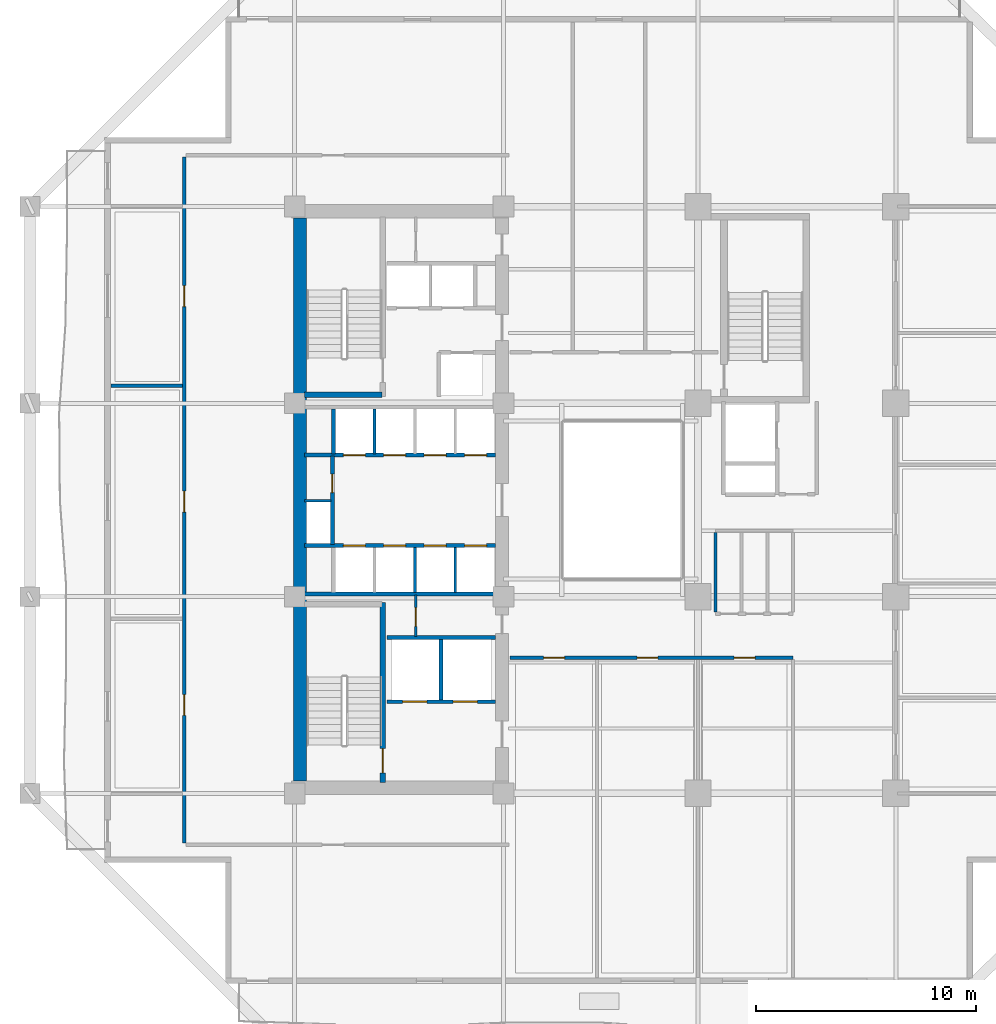
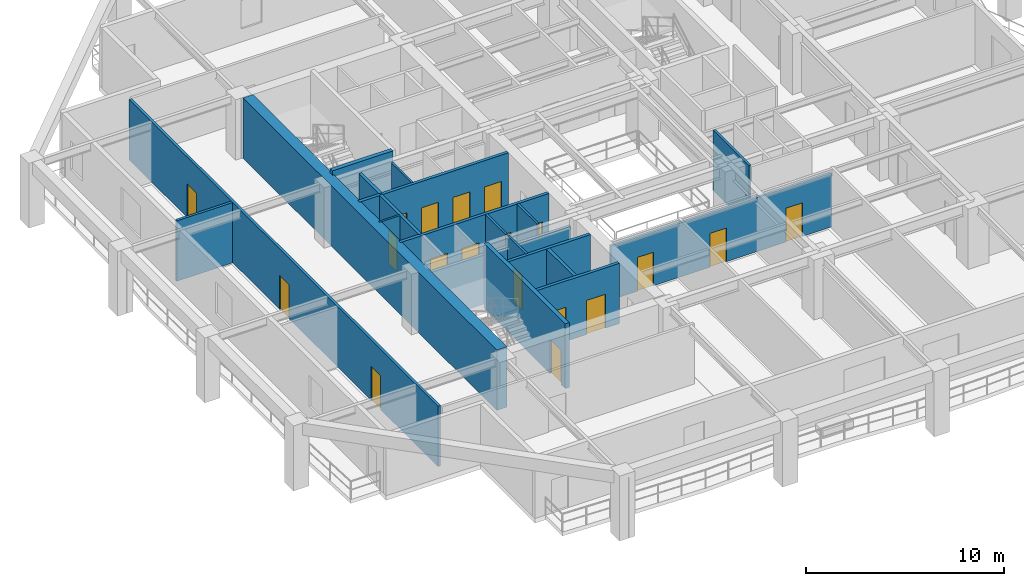
# One storey, part 3 of 13: 20 walls, 19 doors, 19 openings.
"""IFC4 building model written with IfcOpenShell, lengths in metres."""

from ifc_helpers import new_model, si_unit, direction, frame, frame_2d, origin, place, context, subcontext, project, spatial, rectangle, extrude, material, layer, layer_set, type_object, element, fill, save


model = new_model("IFC4")

# Units and contexts
model_context = context("Model", 3, precision=1e-05, world=origin(), true_north=direction((0.0, 1.0)))
body_context = subcontext(model_context, "Body", "Model", "MODEL_VIEW")
ifc_project = project(units=[si_unit("LENGTHUNIT", "METRE"), si_unit("AREAUNIT", "SQUARE_METRE"), si_unit("VOLUMEUNIT", "CUBIC_METRE"), si_unit("PLANEANGLEUNIT", "RADIAN"), si_unit("MASSUNIT", "GRAM", prefix="KILO")], contexts=[model_context])

# Site, building, storey
site_placement = place(None, origin())
site = spatial("IfcSite", under=ifc_project, at=site_placement, CompositionType="ELEMENT")
building_placement = place(site_placement, origin())
building = spatial("IfcBuilding", under=site, at=building_placement, Name="Kundavana Baori Tower", CompositionType="ELEMENT")
storey_placement = place(building_placement, frame((0.0, 0.0, 50.0)))
storey = spatial("IfcBuildingStorey", under=building, at=storey_placement, Name="L11", CompositionType="ELEMENT", Elevation=50.0)

# Wall, opening, door
ifc_material_1 = material(Name="Concrete C50/60", Category="concrete")
ifc_layer_1 = layer(ifc_material_1, 0.39990234375, Name="WL-CORE-400")
ifc_layer_set_1 = layer_set([ifc_layer_1], Name="Concrete C50/60")
wall_type_1 = type_object("IfcWallType", Name="WL-CORE-400", PredefinedType="SHEAR", material=ifc_layer_set_1)
wall_1_placement = place(storey_placement, frame((19.4599609375, 15.739990234375, 0.0), z_axis=(0.0, 0.0, 1.0), x_axis=(0.0, 1.0, 0.0)))
wall_1 = element("IfcWall", 1, at=wall_1_placement, inside=storey, type_object=wall_type_1, Name="WL-L11-ST1-E", PredefinedType="SHEAR", context=body_context, shape_type="SweptSolid", body=[
    extrude(rectangle(XDim=8.199951171875, YDim=0.239990234375, at=frame_2d((4.10009765625, 0.0))), origin(), (0.0, 0.0, 1.0), 4.0),
])
opening_1_placement = place(wall_1_placement, frame((0.449951171875, 0.0, 0.0)))
opening_1 = element("IfcOpeningElement", 2, at=opening_1_placement, cuts=wall_1, Name="Opening FD-110", PredefinedType="OPENING", context=body_context, shape_type="SweptSolid", body=[
    extrude(rectangle(XDim=1.10009765625, YDim=2.10009765625, at=frame_2d((0.550048828125, 1.050048828125))), frame((0.0, 0.1298828125, 0.0), z_axis=(0.0, -1.0, 0.0), x_axis=(1.0, 0.0, 0.0)), (0.0, 0.0, 1.0), 0.260009765625),
])
ifc_material_2 = material(Name="Galvanised Steel Fire-Rated Door Leaf", Category="steel")
door_type_1 = type_object("IfcDoorType", Name="DR-FD120-1100", OperationType="NOTDEFINED", PredefinedType="DOOR", material=ifc_material_2)
door_1_placement = place(opening_1_placement, origin())
door_1 = element("IfcDoor", 3, at=door_1_placement, inside=storey, type_object=door_type_1, Name="DR-L11-ST1", OperationType="SINGLE_SWING_LEFT", OverallHeight=2.10009765625, OverallWidth=1.10009765625, PredefinedType="DOOR", context=body_context, shape_type="SweptSolid", body=[
    extrude(rectangle(XDim=1.10009765625, YDim=2.10009765625, at=frame_2d((0.550048828125, 1.050048828125))), frame((0.0, 0.02490234375, 0.0), z_axis=(0.0, -1.0, 0.0), x_axis=(1.0, 0.0, 0.0)), (0.0, 0.0, 1.0), 0.050048828125),
])
fill(opening_1, door_1)

# Walls
wall_2_placement = place(storey_placement, frame((15.89990234375, 33.389892578125, 0.0), z_axis=(0.0, 0.0, 1.0), x_axis=(1.0, 0.0, 0.0)))
element("IfcWall", 4, at=wall_2_placement, inside=storey, type_object=wall_type_1, Name="WL-L11-ST2-S", PredefinedType="SHEAR", context=body_context, shape_type="SweptSolid", body=[
    extrude(rectangle(XDim=3.52001953125, YDim=0.239990234375, at=frame_2d((1.760009765625, 0.0))), origin(), (0.0, 0.0, 1.0), 4.0),
])
ifc_material_3 = material(Name="Concrete C60/75", Category="concrete")
ifc_layer_2 = layer(ifc_material_3, 0.60009765625, Name="WL-CORE-600")
ifc_layer_set_2 = layer_set([ifc_layer_2], Name="Concrete C60/75")
wall_type_2 = type_object("IfcWallType", Name="WL-CORE-600", PredefinedType="SHEAR", material=ifc_layer_set_2)
wall_3_placement = place(storey_placement, frame((15.68994140625, 15.81005859375, 0.0), z_axis=(0.0, 0.0, 1.0), x_axis=(0.0, 1.0, 0.0)))
element("IfcWall", 5, at=wall_3_placement, inside=storey, type_object=wall_type_2, Name="L11 Offset Core West Shear Wall", PredefinedType="SHEAR", context=body_context, shape_type="SweptSolid", body=[
    extrude(rectangle(XDim=25.6298828125, YDim=0.60009765625, at=frame_2d((12.81494140625, 0.0))), origin(), (0.0, 0.0, 1.0), 3.719970703125),
])

# Wall, opening, door
ifc_material_4 = material(Name="Acoustic Gypsum Plasterboard on Galvanised Steel Studs", Category="steel")
ifc_layer_3 = layer(ifc_material_4, 0.1201171875, Name="WL-PART-120")
ifc_layer_set_3 = layer_set([ifc_layer_3], Name="Acoustic Gypsum Plasterboard on Galvanised Steel Studs")
wall_type_3 = type_object("IfcWallType", Name="WL-PART-120", PredefinedType="PARTITIONING", material=ifc_layer_set_3)
wall_4_placement = place(storey_placement, frame((20.949951171875, 22.39990234375, 0.0), z_axis=(0.0, 0.0, 1.0), x_axis=(0.0, 1.0, 0.0)))
wall_4 = element("IfcWall", 6, at=wall_4_placement, inside=storey, type_object=wall_type_3, Name="WL-L11-CSMK-D2", PredefinedType="PARTITIONING", context=body_context, shape_type="SweptSolid", body=[
    extrude(rectangle(XDim=1.880126953125, YDim=0.1201171875, at=frame_2d((0.93994140625, 0.0))), origin(), (0.0, 0.0, 1.0), 3.719970703125),
])
opening_2_placement = place(wall_4_placement, frame((0.449951171875, 0.0, 0.0)))
opening_2 = element("IfcOpeningElement", 7, at=opening_2_placement, cuts=wall_4, Name="Opening FD-085", PredefinedType="OPENING", context=body_context, shape_type="SweptSolid", body=[
    extrude(rectangle(XDim=0.85009765625, YDim=2.06005859375, at=frame_2d((0.425048828125, 1.030029296875))), frame((0.0, 0.070068359375, 0.0), z_axis=(0.0, -1.0, 0.0), x_axis=(1.0, 0.0, 0.0)), (0.0, 0.0, 1.0), 0.14013671875),
])
ifc_material_5 = material(Name="Galvanised Steel Fire-Rated Door Leaf", Category="steel")
door_type_2 = type_object("IfcDoorType", Name="DR-FD60-850", OperationType="NOTDEFINED", PredefinedType="DOOR", material=ifc_material_5)
door_2_placement = place(opening_2_placement, origin())
door_2 = element("IfcDoor", 8, at=door_2_placement, inside=storey, type_object=door_type_2, Name="DR-L11-CSMK1", OperationType="SINGLE_SWING_RIGHT", OverallHeight=2.06005859375, OverallWidth=0.85009765625, PredefinedType="DOOR", context=body_context, shape_type="SweptSolid", body=[
    extrude(rectangle(XDim=0.85009765625, YDim=2.06005859375, at=frame_2d((0.425048828125, 1.030029296875))), frame((0.0, 0.02490234375, 0.0), z_axis=(0.0, -1.0, 0.0), x_axis=(1.0, 0.0, 0.0)), (0.0, 0.0, 1.0), 0.050048828125),
])
fill(opening_2, door_2)

# Walls
for number, where, z_axis, x_axis, name in (
    (9, (20.919921875, 24.39990234375, 0.0), (0.0, 0.0, 1.0), (0.0, 1.0, 0.0), "WL-L11-LPLOW-D2"),
    (10, (22.760009765625, 24.39990234375, 0.0), (0.0, 0.0, 1.0), (0.0, 1.0, 0.0), "WL-L11-LPLOW-D3"),
):
    element("IfcWall", number, at=place(storey_placement, frame(where, z_axis=z_axis, x_axis=x_axis)), inside=storey, type_object=wall_type_3, Name=name, PredefinedType="PARTITIONING", context=body_context, shape_type="SweptSolid", body=[
        extrude(rectangle(XDim=2.050048828125, YDim=0.1201171875, at=frame_2d((1.02490234375, 0.0))), origin(), (0.0, 0.0, 1.0), 3.719970703125),
    ])
wall_5_placement = place(storey_placement, frame((15.89990234375, 28.56005859375, 0.0), z_axis=(0.0, 0.0, 1.0), x_axis=(1.0, 0.0, 0.0)))
element("IfcWall", 11, at=wall_5_placement, inside=storey, type_object=wall_type_3, Name="WL-L11-RSRW-N", PredefinedType="PARTITIONING", context=body_context, shape_type="SweptSolid", body=[
    extrude(rectangle(XDim=1.2001953125, YDim=0.1201171875, at=frame_2d((0.60009765625, 0.0))), origin(), (0.0, 0.0, 1.0), 3.719970703125),
])
wall_6_placement = place(storey_placement, frame((19.080078125, 30.699951171875, 0.0), z_axis=(0.0, 0.0, 1.0), x_axis=(0.0, 1.0, 0.0)))
element("IfcWall", 12, at=wall_6_placement, inside=storey, type_object=wall_type_3, Name="WL-L11-LPMID-D1", PredefinedType="PARTITIONING", context=body_context, shape_type="SweptSolid", body=[
    extrude(rectangle(XDim=2.050048828125, YDim=0.1201171875, at=frame_2d((1.02490234375, 0.0))), origin(), (0.0, 0.0, 1.0), 3.719970703125),
])

# Wall, openings, doors
ifc_material_6 = material(Name="Fire-Rated Gypsum Drywall on Galvanised Steel Studs", Category="steel")
ifc_layer_4 = layer(ifc_material_6, 0.14990234375, Name="WL-PART-150")
ifc_layer_set_4 = layer_set([ifc_layer_4], Name="Fire-Rated Gypsum Drywall on Galvanised Steel Studs")
wall_type_4 = type_object("IfcWallType", Name="WL-PART-150", PredefinedType="PARTITIONING", material=ifc_layer_set_4)
wall_7_placement = place(storey_placement, frame((25.25, 21.419921875, 0.0), z_axis=(0.0, 0.0, 1.0), x_axis=(1.0, 0.0, 0.0)))
wall_7 = element("IfcWall", 13, at=wall_7_placement, inside=storey, type_object=wall_type_4, Name="WL-L11-OFS", PredefinedType="PARTITIONING", context=body_context, shape_type="SweptSolid", body=[
    extrude(rectangle(XDim=12.8701171875, YDim=0.14990234375, at=frame_2d((6.43505859375, 0.0))), origin(), (0.0, 0.0, 1.0), 3.320068359375),
])
opening_3_placement = place(wall_7_placement, frame((1.52490234375, 0.0, 0.0)))
opening_3 = element("IfcOpeningElement", 14, at=opening_3_placement, cuts=wall_7, Name="Opening ID-095", PredefinedType="OPENING", context=body_context, shape_type="SweptSolid", body=[
    extrude(rectangle(XDim=0.949951171875, YDim=2.080078125, at=frame_2d((0.47509765625, 1.0400390625))), frame((0.0, 0.0849609375, 0.0), z_axis=(0.0, -1.0, 0.0), x_axis=(1.0, 0.0, 0.0)), (0.0, 0.0, 1.0), 0.169921875),
])
opening_4_placement = place(wall_7_placement, frame((5.77490234375, 0.0, 0.0)))
opening_4 = element("IfcOpeningElement", 15, at=opening_4_placement, cuts=wall_7, Name="Opening ID-095", PredefinedType="OPENING", context=body_context, shape_type="SweptSolid", body=[
    extrude(rectangle(XDim=0.949951171875, YDim=2.080078125, at=frame_2d((0.47509765625, 1.0400390625))), frame((0.0, 0.0849609375, 0.0), z_axis=(0.0, -1.0, 0.0), x_axis=(1.0, 0.0, 0.0)), (0.0, 0.0, 1.0), 0.169921875),
])
opening_5_placement = place(wall_7_placement, frame((10.195068359375, 0.0, 0.0)))
opening_5 = element("IfcOpeningElement", 16, at=opening_5_placement, cuts=wall_7, Name="Opening ID-095", PredefinedType="OPENING", context=body_context, shape_type="SweptSolid", body=[
    extrude(rectangle(XDim=0.949951171875, YDim=2.080078125, at=frame_2d((0.47509765625, 1.0400390625))), frame((0.0, 0.0849609375, 0.0), z_axis=(0.0, -1.0, 0.0), x_axis=(1.0, 0.0, 0.0)), (0.0, 0.0, 1.0), 0.169921875),
])
ifc_material_7 = material(Name="Engineered Teak Solid-Core Timber Veneer", Category="wood")
door_type_3 = type_object("IfcDoorType", Name="DR-INT-950", OperationType="NOTDEFINED", PredefinedType="DOOR", material=ifc_material_7)
door_3_placement = place(opening_3_placement, frame((0.949951171875, 0.0, 0.0), z_axis=(0.0, 0.0, 1.0), x_axis=(-1.0, 0.0, 0.0)))
door_3 = element("IfcDoor", 17, at=door_3_placement, inside=storey, type_object=door_type_3, Name="DR-L11-OFS1", OperationType="SINGLE_SWING_LEFT", OverallHeight=2.080078125, OverallWidth=0.949951171875, PredefinedType="DOOR", context=body_context, shape_type="SweptSolid", body=[
    extrude(rectangle(XDim=0.949951171875, YDim=2.080078125, at=frame_2d((0.47509765625, 1.0400390625))), frame((0.0, 0.02490234375, 0.0), z_axis=(0.0, -1.0, 0.0), x_axis=(1.0, 0.0, 0.0)), (0.0, 0.0, 1.0), 0.050048828125),
])
fill(opening_3, door_3)
door_4_placement = place(opening_4_placement, frame((0.949951171875, 0.0, 0.0), z_axis=(0.0, 0.0, 1.0), x_axis=(-1.0, 0.0, 0.0)))
door_4 = element("IfcDoor", 18, at=door_4_placement, inside=storey, type_object=door_type_3, Name="DR-L11-OFS2", OperationType="SINGLE_SWING_RIGHT", OverallHeight=2.080078125, OverallWidth=0.949951171875, PredefinedType="DOOR", context=body_context, shape_type="SweptSolid", body=[
    extrude(rectangle(XDim=0.949951171875, YDim=2.080078125, at=frame_2d((0.47509765625, 1.0400390625))), frame((0.0, 0.02490234375, 0.0), z_axis=(0.0, -1.0, 0.0), x_axis=(1.0, 0.0, 0.0)), (0.0, 0.0, 1.0), 0.050048828125),
])
fill(opening_4, door_4)
door_5_placement = place(opening_5_placement, frame((0.949951171875, 0.0, 0.0), z_axis=(0.0, 0.0, 1.0), x_axis=(-1.0, 0.0, 0.0)))
door_5 = element("IfcDoor", 19, at=door_5_placement, inside=storey, type_object=door_type_3, Name="DR-L11-OFS3", OperationType="SINGLE_SWING_LEFT", OverallHeight=2.080078125, OverallWidth=0.949951171875, PredefinedType="DOOR", context=body_context, shape_type="SweptSolid", body=[
    extrude(rectangle(XDim=0.949951171875, YDim=2.080078125, at=frame_2d((0.47509765625, 1.0400390625))), frame((0.0, 0.02490234375, 0.0), z_axis=(0.0, -1.0, 0.0), x_axis=(1.0, 0.0, 0.0)), (0.0, 0.0, 1.0), 0.050048828125),
])
fill(opening_5, door_5)

wall_8_placement = place(storey_placement, frame((10.419921875, 13.0, 0.0), z_axis=(0.0, 0.0, 1.0), x_axis=(0.0, 1.0, 0.0)))
wall_8 = element("IfcWall", 20, at=wall_8_placement, inside=storey, type_object=wall_type_4, Name="WL-L11-OW", PredefinedType="PARTITIONING", context=body_context, shape_type="SweptSolid", body=[
    extrude(rectangle(XDim=31.199951171875, YDim=0.14990234375, at=frame_2d((15.60009765625, 0.0))), origin(), (0.0, 0.0, 1.0), 3.719970703125),
])
opening_6_placement = place(wall_8_placement, frame((5.800048828125, 0.0, 0.0)))
opening_6 = element("IfcOpeningElement", 21, at=opening_6_placement, cuts=wall_8, Name="Opening ID-095", PredefinedType="OPENING", context=body_context, shape_type="SweptSolid", body=[
    extrude(rectangle(XDim=0.949951171875, YDim=2.080078125, at=frame_2d((0.47509765625, 1.0400390625))), frame((0.0, 0.0849609375, 0.0), z_axis=(0.0, -1.0, 0.0), x_axis=(1.0, 0.0, 0.0)), (0.0, 0.0, 1.0), 0.169921875),
])
opening_7_placement = place(wall_8_placement, frame((15.050048828125, 0.0, 0.0)))
opening_7 = element("IfcOpeningElement", 22, at=opening_7_placement, cuts=wall_8, Name="Opening ID-095", PredefinedType="OPENING", context=body_context, shape_type="SweptSolid", body=[
    extrude(rectangle(XDim=0.949951171875, YDim=2.080078125, at=frame_2d((0.47509765625, 1.0400390625))), frame((0.0, 0.0849609375, 0.0), z_axis=(0.0, -1.0, 0.0), x_axis=(1.0, 0.0, 0.0)), (0.0, 0.0, 1.0), 0.169921875),
])
opening_8_placement = place(wall_8_placement, frame((24.39990234375, 0.0, 0.0)))
opening_8 = element("IfcOpeningElement", 23, at=opening_8_placement, cuts=wall_8, Name="Opening ID-095", PredefinedType="OPENING", context=body_context, shape_type="SweptSolid", body=[
    extrude(rectangle(XDim=0.949951171875, YDim=2.080078125, at=frame_2d((0.47509765625, 1.0400390625))), frame((0.0, 0.0849609375, 0.0), z_axis=(0.0, -1.0, 0.0), x_axis=(1.0, 0.0, 0.0)), (0.0, 0.0, 1.0), 0.169921875),
])
door_6_placement = place(opening_6_placement, frame((0.949951171875, 0.0, 0.0), z_axis=(0.0, 0.0, 1.0), x_axis=(-1.0, 0.0, 0.0)))
door_6 = element("IfcDoor", 24, at=door_6_placement, inside=storey, type_object=door_type_3, Name="DR-L11-OFW1", OperationType="SINGLE_SWING_LEFT", OverallHeight=2.080078125, OverallWidth=0.949951171875, PredefinedType="DOOR", context=body_context, shape_type="SweptSolid", body=[
    extrude(rectangle(XDim=0.949951171875, YDim=2.080078125, at=frame_2d((0.47509765625, 1.0400390625))), frame((0.0, 0.02490234375, 0.0), z_axis=(0.0, -1.0, 0.0), x_axis=(1.0, 0.0, 0.0)), (0.0, 0.0, 1.0), 0.050048828125),
])
fill(opening_6, door_6)
door_7_placement = place(opening_7_placement, frame((0.949951171875, 0.0, 0.0), z_axis=(0.0, 0.0, 1.0), x_axis=(-1.0, 0.0, 0.0)))
door_7 = element("IfcDoor", 25, at=door_7_placement, inside=storey, type_object=door_type_3, Name="DR-L11-OFW2", OperationType="SINGLE_SWING_RIGHT", OverallHeight=2.080078125, OverallWidth=0.949951171875, PredefinedType="DOOR", context=body_context, shape_type="SweptSolid", body=[
    extrude(rectangle(XDim=0.949951171875, YDim=2.080078125, at=frame_2d((0.47509765625, 1.0400390625))), frame((0.0, 0.02490234375, 0.0), z_axis=(0.0, -1.0, 0.0), x_axis=(1.0, 0.0, 0.0)), (0.0, 0.0, 1.0), 0.050048828125),
])
fill(opening_7, door_7)
door_8_placement = place(opening_8_placement, frame((0.949951171875, 0.0, 0.0), z_axis=(0.0, 0.0, 1.0), x_axis=(-1.0, 0.0, 0.0)))
door_8 = element("IfcDoor", 26, at=door_8_placement, inside=storey, type_object=door_type_3, Name="DR-L11-OFW3", OperationType="SINGLE_SWING_LEFT", OverallHeight=2.080078125, OverallWidth=0.949951171875, PredefinedType="DOOR", context=body_context, shape_type="SweptSolid", body=[
    extrude(rectangle(XDim=0.949951171875, YDim=2.080078125, at=frame_2d((0.47509765625, 1.0400390625))), frame((0.0, 0.02490234375, 0.0), z_axis=(0.0, -1.0, 0.0), x_axis=(1.0, 0.0, 0.0)), (0.0, 0.0, 1.0), 0.050048828125),
])
fill(opening_8, door_8)

# Wall
wall_9_placement = place(storey_placement, frame((7.080078125, 33.800048828125, 0.0), z_axis=(0.0, 0.0, 1.0), x_axis=(1.0, 0.0, 0.0)))
element("IfcWall", 27, at=wall_9_placement, inside=storey, type_object=wall_type_4, Name="WL-L11-WD2", PredefinedType="PARTITIONING", context=body_context, shape_type="SweptSolid", body=[
    extrude(rectangle(XDim=3.260009765625, YDim=0.14990234375, at=frame_2d((1.6298828125, 0.0))), origin(), (0.0, 0.0, 1.0), 3.719970703125),
])

# Wall, openings, doors
ifc_material_8 = material(Name="Autoclaved Aerated Concrete Blockwork Masonry", Category="masonry")
ifc_layer_5 = layer(ifc_material_8, 0.179931640625, Name="WL-SHAFT-180")
ifc_layer_set_5 = layer_set([ifc_layer_5], Name="Autoclaved Aerated Concrete Blockwork Masonry")
wall_type_5 = type_object("IfcWallType", Name="WL-SHAFT-180", PredefinedType="SOLIDWALL", material=ifc_layer_set_5)
wall_10_placement = place(storey_placement, frame((19.639892578125, 19.419921875, 0.0), z_axis=(0.0, 0.0, 1.0), x_axis=(1.0, 0.0, 0.0)))
wall_10 = element("IfcWall", 28, at=wall_10_placement, inside=storey, type_object=wall_type_5, Name="WL-L11-FFL-S", PredefinedType="SOLIDWALL", context=body_context, shape_type="SweptSolid", body=[
    extrude(rectangle(XDim=4.940185546875, YDim=0.179931640625, at=frame_2d((2.47021484375, 0.0))), origin(), (0.0, 0.0, 1.0), 3.719970703125),
])
opening_9_placement = place(wall_10_placement, frame((0.719970703125, 0.0, 0.0)))
opening_9 = element("IfcOpeningElement", 29, at=opening_9_placement, cuts=wall_10, Name="Opening LD-110", PredefinedType="OPENING", context=body_context, shape_type="SweptSolid", body=[
    extrude(rectangle(XDim=1.10009765625, YDim=2.10009765625, at=frame_2d((0.550048828125, 1.050048828125))), frame((0.0, 0.10009765625, 0.0), z_axis=(0.0, -1.0, 0.0), x_axis=(1.0, 0.0, 0.0)), (0.0, 0.0, 1.0), 0.199951171875),
])
opening_10_placement = place(wall_10_placement, frame((3.02001953125, 0.0, 0.0)))
opening_10 = element("IfcOpeningElement", 30, at=opening_10_placement, cuts=wall_10, Name="Opening LD-110", PredefinedType="OPENING", context=body_context, shape_type="SweptSolid", body=[
    extrude(rectangle(XDim=1.10009765625, YDim=2.10009765625, at=frame_2d((0.550048828125, 1.050048828125))), frame((0.0, 0.10009765625, 0.0), z_axis=(0.0, -1.0, 0.0), x_axis=(1.0, 0.0, 0.0)), (0.0, 0.0, 1.0), 0.199951171875),
])
ifc_material_9 = material(Name="Galvanised Steel Fire-Rated Door Leaf", Category="steel")
door_type_4 = type_object("IfcDoorType", Name="DR-SLIDE-LD1100", OperationType="NOTDEFINED", PredefinedType="DOOR", material=ifc_material_9)
door_9_placement = place(opening_9_placement, origin())
door_9 = element("IfcDoor", 31, at=door_9_placement, inside=storey, type_object=door_type_4, Name="DR-L11-LD-FFL-1", OperationType="DOUBLE_DOOR_SLIDING", OverallHeight=2.10009765625, OverallWidth=1.10009765625, PredefinedType="DOOR", context=body_context, shape_type="SweptSolid", body=[
    extrude(rectangle(XDim=1.10009765625, YDim=2.10009765625, at=frame_2d((0.550048828125, 1.050048828125))), frame((0.0, 0.02490234375, 0.0), z_axis=(0.0, -1.0, 0.0), x_axis=(1.0, 0.0, 0.0)), (0.0, 0.0, 1.0), 0.050048828125),
])
fill(opening_9, door_9)
door_10_placement = place(opening_10_placement, origin())
door_10 = element("IfcDoor", 32, at=door_10_placement, inside=storey, type_object=door_type_4, Name="DR-L11-LD-FFL-2", OperationType="DOUBLE_DOOR_SLIDING", OverallHeight=2.10009765625, OverallWidth=1.10009765625, PredefinedType="DOOR", context=body_context, shape_type="SweptSolid", body=[
    extrude(rectangle(XDim=1.10009765625, YDim=2.10009765625, at=frame_2d((0.550048828125, 1.050048828125))), frame((0.0, 0.02490234375, 0.0), z_axis=(0.0, -1.0, 0.0), x_axis=(1.0, 0.0, 0.0)), (0.0, 0.0, 1.0), 0.050048828125),
])
fill(opening_10, door_10)

# Walls
wall_11_placement = place(storey_placement, frame((22.10009765625, 19.510009765625, 0.0), z_axis=(0.0, 0.0, 1.0), x_axis=(0.0, 1.0, 0.0)))
element("IfcWall", 33, at=wall_11_placement, inside=storey, type_object=wall_type_5, Name="WL-L11-FFL-MID", PredefinedType="SOLIDWALL", context=body_context, shape_type="SweptSolid", body=[
    extrude(rectangle(XDim=2.739990234375, YDim=0.179931640625, at=frame_2d((1.3701171875, 0.0))), origin(), (0.0, 0.0, 1.0), 3.719970703125),
])
wall_12_placement = place(storey_placement, frame((19.639892578125, 22.340087890625, 0.0), z_axis=(0.0, 0.0, 1.0), x_axis=(1.0, 0.0, 0.0)))
element("IfcWall", 34, at=wall_12_placement, inside=storey, type_object=wall_type_5, Name="WL-L11-FFL-N", PredefinedType="SOLIDWALL", context=body_context, shape_type="SweptSolid", body=[
    extrude(rectangle(XDim=4.940185546875, YDim=0.179931640625, at=frame_2d((2.47021484375, 0.0))), origin(), (0.0, 0.0, 1.0), 3.719970703125),
])

# Wall, openings, doors
wall_13_placement = place(storey_placement, frame((15.89990234375, 26.52001953125, 0.0), z_axis=(0.0, 0.0, 1.0), x_axis=(1.0, 0.0, 0.0)))
wall_13 = element("IfcWall", 35, at=wall_13_placement, inside=storey, type_object=wall_type_5, Name="WL-L11-LPLOW-N", PredefinedType="SOLIDWALL", context=body_context, shape_type="SweptSolid", body=[
    extrude(rectangle(XDim=8.68017578125, YDim=0.179931640625, at=frame_2d((4.340087890625, 0.0))), origin(), (0.0, 0.0, 1.0), 3.719970703125),
])
opening_11_placement = place(wall_13_placement, frame((1.760009765625, 0.0, 0.0)))
opening_11 = element("IfcOpeningElement", 36, at=opening_11_placement, cuts=wall_13, Name="Opening LD-100", PredefinedType="OPENING", context=body_context, shape_type="SweptSolid", body=[
    extrude(rectangle(XDim=1.0, YDim=2.10009765625, at=frame_2d((0.5, 1.050048828125))), frame((0.0, 0.10009765625, 0.0), z_axis=(0.0, -1.0, 0.0), x_axis=(1.0, 0.0, 0.0)), (0.0, 0.0, 1.0), 0.199951171875),
])
opening_12_placement = place(wall_13_placement, frame((3.60009765625, 0.0, 0.0)))
opening_12 = element("IfcOpeningElement", 37, at=opening_12_placement, cuts=wall_13, Name="Opening LD-100", PredefinedType="OPENING", context=body_context, shape_type="SweptSolid", body=[
    extrude(rectangle(XDim=1.0, YDim=2.10009765625, at=frame_2d((0.5, 1.050048828125))), frame((0.0, 0.10009765625, 0.0), z_axis=(0.0, -1.0, 0.0), x_axis=(1.0, 0.0, 0.0)), (0.0, 0.0, 1.0), 0.199951171875),
])
opening_13_placement = place(wall_13_placement, frame((5.43994140625, 0.0, 0.0)))
opening_13 = element("IfcOpeningElement", 38, at=opening_13_placement, cuts=wall_13, Name="Opening LD-100", PredefinedType="OPENING", context=body_context, shape_type="SweptSolid", body=[
    extrude(rectangle(XDim=1.0, YDim=2.10009765625, at=frame_2d((0.5, 1.050048828125))), frame((0.0, 0.10009765625, 0.0), z_axis=(0.0, -1.0, 0.0), x_axis=(1.0, 0.0, 0.0)), (0.0, 0.0, 1.0), 0.199951171875),
])
opening_14_placement = place(wall_13_placement, frame((7.280029296875, 0.0, 0.0)))
opening_14 = element("IfcOpeningElement", 39, at=opening_14_placement, cuts=wall_13, Name="Opening LD-100", PredefinedType="OPENING", context=body_context, shape_type="SweptSolid", body=[
    extrude(rectangle(XDim=1.0, YDim=2.10009765625, at=frame_2d((0.5, 1.050048828125))), frame((0.0, 0.10009765625, 0.0), z_axis=(0.0, -1.0, 0.0), x_axis=(1.0, 0.0, 0.0)), (0.0, 0.0, 1.0), 0.199951171875),
])
ifc_material_10 = material(Name="Galvanised Steel Fire-Rated Door Leaf", Category="steel")
door_type_5 = type_object("IfcDoorType", Name="DR-SLIDE-LD1000", OperationType="NOTDEFINED", PredefinedType="DOOR", material=ifc_material_10)
door_11_placement = place(opening_11_placement, origin())
door_11 = element("IfcDoor", 40, at=door_11_placement, inside=storey, type_object=door_type_5, Name="DR-L11-LD-LP-01", OperationType="DOUBLE_DOOR_SLIDING", OverallHeight=2.10009765625, OverallWidth=1.0, PredefinedType="DOOR", context=body_context, shape_type="SweptSolid", body=[
    extrude(rectangle(XDim=1.0, YDim=2.10009765625, at=frame_2d((0.5, 1.050048828125))), frame((0.0, 0.02490234375, 0.0), z_axis=(0.0, -1.0, 0.0), x_axis=(1.0, 0.0, 0.0)), (0.0, 0.0, 1.0), 0.050048828125),
])
fill(opening_11, door_11)
door_12_placement = place(opening_12_placement, origin())
door_12 = element("IfcDoor", 41, at=door_12_placement, inside=storey, type_object=door_type_5, Name="DR-L11-LD-LP-02", OperationType="DOUBLE_DOOR_SLIDING", OverallHeight=2.10009765625, OverallWidth=1.0, PredefinedType="DOOR", context=body_context, shape_type="SweptSolid", body=[
    extrude(rectangle(XDim=1.0, YDim=2.10009765625, at=frame_2d((0.5, 1.050048828125))), frame((0.0, 0.02490234375, 0.0), z_axis=(0.0, -1.0, 0.0), x_axis=(1.0, 0.0, 0.0)), (0.0, 0.0, 1.0), 0.050048828125),
])
fill(opening_12, door_12)
door_13_placement = place(opening_13_placement, origin())
door_13 = element("IfcDoor", 42, at=door_13_placement, inside=storey, type_object=door_type_5, Name="DR-L11-LD-LP-03", OperationType="DOUBLE_DOOR_SLIDING", OverallHeight=2.10009765625, OverallWidth=1.0, PredefinedType="DOOR", context=body_context, shape_type="SweptSolid", body=[
    extrude(rectangle(XDim=1.0, YDim=2.10009765625, at=frame_2d((0.5, 1.050048828125))), frame((0.0, 0.02490234375, 0.0), z_axis=(0.0, -1.0, 0.0), x_axis=(1.0, 0.0, 0.0)), (0.0, 0.0, 1.0), 0.050048828125),
])
fill(opening_13, door_13)
door_14_placement = place(opening_14_placement, origin())
door_14 = element("IfcDoor", 43, at=door_14_placement, inside=storey, type_object=door_type_5, Name="DR-L11-LD-LP-04", OperationType="DOUBLE_DOOR_SLIDING", OverallHeight=2.10009765625, OverallWidth=1.0, PredefinedType="DOOR", context=body_context, shape_type="SweptSolid", body=[
    extrude(rectangle(XDim=1.0, YDim=2.10009765625, at=frame_2d((0.5, 1.050048828125))), frame((0.0, 0.02490234375, 0.0), z_axis=(0.0, -1.0, 0.0), x_axis=(1.0, 0.0, 0.0)), (0.0, 0.0, 1.0), 0.050048828125),
])
fill(opening_14, door_14)

# Wall
wall_14_placement = place(storey_placement, frame((15.89990234375, 24.330078125, 0.0), z_axis=(0.0, 0.0, 1.0), x_axis=(1.0, 0.0, 0.0)))
element("IfcWall", 44, at=wall_14_placement, inside=storey, type_object=wall_type_5, Name="WL-L11-LPLOW-S", PredefinedType="SOLIDWALL", context=body_context, shape_type="SweptSolid", body=[
    extrude(rectangle(XDim=8.68017578125, YDim=0.179931640625, at=frame_2d((4.340087890625, 0.0))), origin(), (0.0, 0.0, 1.0), 3.02001953125),
])

# Wall, opening, door
wall_15_placement = place(storey_placement, frame((17.159912109375, 26.580078125, 0.0), z_axis=(0.0, 0.0, 1.0), x_axis=(0.0, 1.0, 0.0)))
wall_15 = element("IfcWall", 45, at=wall_15_placement, inside=storey, type_object=wall_type_5, Name="WL-L11-RSRW-E", PredefinedType="SOLIDWALL", context=body_context, shape_type="SweptSolid", body=[
    extrude(rectangle(XDim=4.02001953125, YDim=0.179931640625, at=frame_2d((2.010009765625, 0.0))), origin(), (0.0, 0.0, 1.0), 3.719970703125),
])
opening_15_placement = place(wall_15_placement, frame((2.35009765625, 0.0, 0.0)))
opening_15 = element("IfcOpeningElement", 46, at=opening_15_placement, cuts=wall_15, Name="Opening FD-085", PredefinedType="OPENING", context=body_context, shape_type="SweptSolid", body=[
    extrude(rectangle(XDim=0.85009765625, YDim=2.06005859375, at=frame_2d((0.425048828125, 1.030029296875))), frame((0.0, 0.10009765625, 0.0), z_axis=(0.0, -1.0, 0.0), x_axis=(1.0, 0.0, 0.0)), (0.0, 0.0, 1.0), 0.199951171875),
])
door_15_placement = place(opening_15_placement, origin())
door_15 = element("IfcDoor", 47, at=door_15_placement, inside=storey, type_object=door_type_2, Name="DR-L11-CLN", OperationType="SINGLE_SWING_RIGHT", OverallHeight=2.06005859375, OverallWidth=0.85009765625, PredefinedType="DOOR", context=body_context, shape_type="SweptSolid", body=[
    extrude(rectangle(XDim=0.85009765625, YDim=2.06005859375, at=frame_2d((0.425048828125, 1.030029296875))), frame((0.0, 0.02490234375, 0.0), z_axis=(0.0, -1.0, 0.0), x_axis=(1.0, 0.0, 0.0)), (0.0, 0.0, 1.0), 0.050048828125),
])
fill(opening_15, door_15)

# Wall, openings, doors
wall_16_placement = place(storey_placement, frame((15.89990234375, 30.639892578125, 0.0), z_axis=(0.0, 0.0, 1.0), x_axis=(1.0, 0.0, 0.0)))
wall_16 = element("IfcWall", 48, at=wall_16_placement, inside=storey, type_object=wall_type_5, Name="WL-L11-LPMID-S", PredefinedType="SOLIDWALL", context=body_context, shape_type="SweptSolid", body=[
    extrude(rectangle(XDim=8.68017578125, YDim=0.179931640625, at=frame_2d((4.340087890625, 0.0))), origin(), (0.0, 0.0, 1.0), 3.719970703125),
])
opening_16_placement = place(wall_16_placement, frame((1.760009765625, 0.0, 0.0)))
opening_16 = element("IfcOpeningElement", 49, at=opening_16_placement, cuts=wall_16, Name="Opening LD-100", PredefinedType="OPENING", context=body_context, shape_type="SweptSolid", body=[
    extrude(rectangle(XDim=1.0, YDim=2.10009765625, at=frame_2d((0.5, 1.050048828125))), frame((0.0, 0.10009765625, 0.0), z_axis=(0.0, -1.0, 0.0), x_axis=(1.0, 0.0, 0.0)), (0.0, 0.0, 1.0), 0.199951171875),
])
opening_17_placement = place(wall_16_placement, frame((3.60009765625, 0.0, 0.0)))
opening_17 = element("IfcOpeningElement", 50, at=opening_17_placement, cuts=wall_16, Name="Opening LD-100", PredefinedType="OPENING", context=body_context, shape_type="SweptSolid", body=[
    extrude(rectangle(XDim=1.0, YDim=2.10009765625, at=frame_2d((0.5, 1.050048828125))), frame((0.0, 0.10009765625, 0.0), z_axis=(0.0, -1.0, 0.0), x_axis=(1.0, 0.0, 0.0)), (0.0, 0.0, 1.0), 0.199951171875),
])
opening_18_placement = place(wall_16_placement, frame((5.43994140625, 0.0, 0.0)))
opening_18 = element("IfcOpeningElement", 51, at=opening_18_placement, cuts=wall_16, Name="Opening LD-100", PredefinedType="OPENING", context=body_context, shape_type="SweptSolid", body=[
    extrude(rectangle(XDim=1.0, YDim=2.10009765625, at=frame_2d((0.5, 1.050048828125))), frame((0.0, 0.10009765625, 0.0), z_axis=(0.0, -1.0, 0.0), x_axis=(1.0, 0.0, 0.0)), (0.0, 0.0, 1.0), 0.199951171875),
])
opening_19_placement = place(wall_16_placement, frame((7.280029296875, 0.0, 0.0)))
opening_19 = element("IfcOpeningElement", 52, at=opening_19_placement, cuts=wall_16, Name="Opening LD-100", PredefinedType="OPENING", context=body_context, shape_type="SweptSolid", body=[
    extrude(rectangle(XDim=1.0, YDim=2.10009765625, at=frame_2d((0.5, 1.050048828125))), frame((0.0, 0.10009765625, 0.0), z_axis=(0.0, -1.0, 0.0), x_axis=(1.0, 0.0, 0.0)), (0.0, 0.0, 1.0), 0.199951171875),
])
door_16_placement = place(opening_16_placement, frame((1.0, 0.0, 0.0), z_axis=(0.0, 0.0, 1.0), x_axis=(-1.0, 0.0, 0.0)))
door_16 = element("IfcDoor", 53, at=door_16_placement, inside=storey, type_object=door_type_5, Name="DR-L11-LD-LP-05", OperationType="DOUBLE_DOOR_SLIDING", OverallHeight=2.10009765625, OverallWidth=1.0, PredefinedType="DOOR", context=body_context, shape_type="SweptSolid", body=[
    extrude(rectangle(XDim=1.0, YDim=2.10009765625, at=frame_2d((0.5, 1.050048828125))), frame((0.0, 0.02490234375, 0.0), z_axis=(0.0, -1.0, 0.0), x_axis=(1.0, 0.0, 0.0)), (0.0, 0.0, 1.0), 0.050048828125),
])
fill(opening_16, door_16)
door_17_placement = place(opening_17_placement, frame((1.0, 0.0, 0.0), z_axis=(0.0, 0.0, 1.0), x_axis=(-1.0, 0.0, 0.0)))
door_17 = element("IfcDoor", 54, at=door_17_placement, inside=storey, type_object=door_type_5, Name="DR-L11-LD-LP-06", OperationType="DOUBLE_DOOR_SLIDING", OverallHeight=2.10009765625, OverallWidth=1.0, PredefinedType="DOOR", context=body_context, shape_type="SweptSolid", body=[
    extrude(rectangle(XDim=1.0, YDim=2.10009765625, at=frame_2d((0.5, 1.050048828125))), frame((0.0, 0.02490234375, 0.0), z_axis=(0.0, -1.0, 0.0), x_axis=(1.0, 0.0, 0.0)), (0.0, 0.0, 1.0), 0.050048828125),
])
fill(opening_17, door_17)
door_18_placement = place(opening_18_placement, frame((1.0, 0.0, 0.0), z_axis=(0.0, 0.0, 1.0), x_axis=(-1.0, 0.0, 0.0)))
door_18 = element("IfcDoor", 55, at=door_18_placement, inside=storey, type_object=door_type_5, Name="DR-L11-LD-LP-07", OperationType="DOUBLE_DOOR_SLIDING", OverallHeight=2.10009765625, OverallWidth=1.0, PredefinedType="DOOR", context=body_context, shape_type="SweptSolid", body=[
    extrude(rectangle(XDim=1.0, YDim=2.10009765625, at=frame_2d((0.5, 1.050048828125))), frame((0.0, 0.02490234375, 0.0), z_axis=(0.0, -1.0, 0.0), x_axis=(1.0, 0.0, 0.0)), (0.0, 0.0, 1.0), 0.050048828125),
])
fill(opening_18, door_18)
door_19_placement = place(opening_19_placement, frame((1.0, 0.0, 0.0), z_axis=(0.0, 0.0, 1.0), x_axis=(-1.0, 0.0, 0.0)))
door_19 = element("IfcDoor", 56, at=door_19_placement, inside=storey, type_object=door_type_5, Name="DR-L11-LD-LP-08", OperationType="DOUBLE_DOOR_SLIDING", OverallHeight=2.10009765625, OverallWidth=1.0, PredefinedType="DOOR", context=body_context, shape_type="SweptSolid", body=[
    extrude(rectangle(XDim=1.0, YDim=2.10009765625, at=frame_2d((0.5, 1.050048828125))), frame((0.0, 0.02490234375, 0.0), z_axis=(0.0, -1.0, 0.0), x_axis=(1.0, 0.0, 0.0)), (0.0, 0.0, 1.0), 0.050048828125),
])
fill(opening_19, door_19)

# Walls
wall_17_placement = place(storey_placement, frame((17.219970703125, 30.699951171875, 0.0), z_axis=(0.0, 0.0, 1.0), x_axis=(0.0, 1.0, 0.0)))
element("IfcWall", 57, at=wall_17_placement, inside=storey, type_object=wall_type_5, Name="WL-L11-LPMID-W", PredefinedType="SOLIDWALL", context=body_context, shape_type="SweptSolid", body=[
    extrude(rectangle(XDim=2.050048828125, YDim=0.179931640625, at=frame_2d((1.02490234375, 0.0))), origin(), (0.0, 0.0, 1.0), 3.719970703125),
])
ifc_material_11 = material(Name="Autoclaved Aerated Concrete Blockwork Masonry", Category="masonry")
ifc_layer_6 = layer(ifc_material_11, 0.125, Name="WL-WET-120")
ifc_layer_set_6 = layer_set([ifc_layer_6], Name="Autoclaved Aerated Concrete Blockwork Masonry")
wall_type_6 = type_object("IfcWallType", Name="WL-WET-120", PredefinedType="PLUMBINGWALL", material=ifc_layer_set_6)
wall_18_placement = place(storey_placement, frame((34.60009765625, 23.5, 0.0), z_axis=(0.0, 0.0, 1.0), x_axis=(0.0, 1.0, 0.0)))
element("IfcWall", 58, at=wall_18_placement, inside=storey, type_object=wall_type_6, Name="WL-L11-WCW", PredefinedType="PLUMBINGWALL", context=body_context, shape_type="SweptSolid", body=[
    extrude(rectangle(XDim=3.6201171875, YDim=0.125, at=frame_2d((1.81005859375, 0.0))), origin(), (0.0, 0.0, 1.0), 3.719970703125),
])

save(model, "model.ifc")
